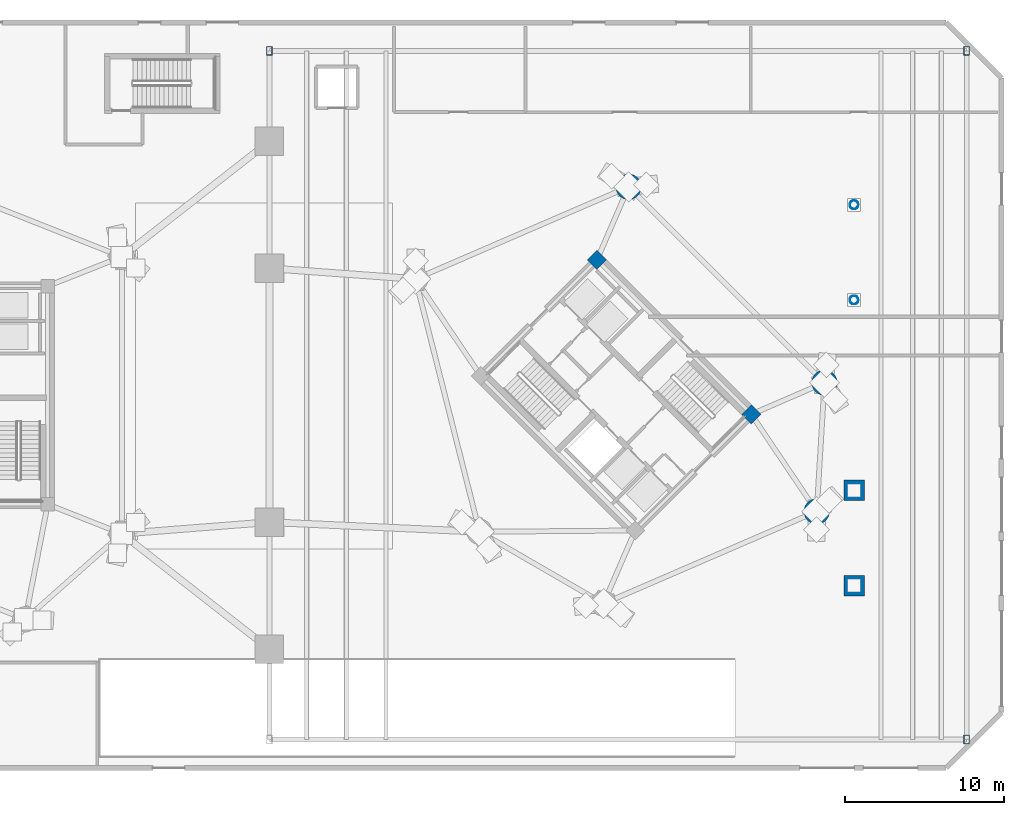
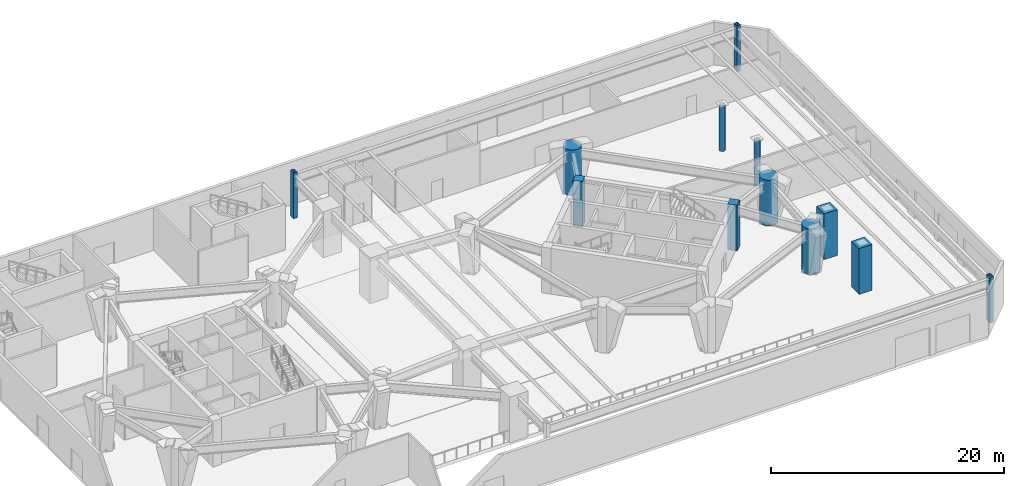
# One storey, part 2 of 17: 12 columns.
"""IFC4 building model written with IfcOpenShell, lengths in metres."""

from ifc_helpers import new_model, si_unit, direction, frame, origin, origin_2d, place, context, subcontext, project, spatial, rectangle, hollow_rectangle, circle, hollow_circle, extrude, material, material_profile, profile_set, type_object, element, save


model = new_model("IFC4")

# Units and contexts
model_context = context("Model", 3, precision=1e-05, world=origin(), true_north=direction((0.0, 1.0)))
body_context = subcontext(model_context, "Body", "Model", "MODEL_VIEW")
ifc_project = project(units=[si_unit("LENGTHUNIT", "METRE"), si_unit("AREAUNIT", "SQUARE_METRE"), si_unit("VOLUMEUNIT", "CUBIC_METRE"), si_unit("PLANEANGLEUNIT", "RADIAN"), si_unit("MASSUNIT", "GRAM", prefix="KILO")], contexts=[model_context])

# Site, building, storey
site_placement = place(None, origin())
site = spatial("IfcSite", under=ifc_project, at=site_placement, CompositionType="ELEMENT")
building_placement = place(site_placement, origin())
building = spatial("IfcBuilding", under=site, at=building_placement, Name="Cununo Teusaquillo Station Towers", CompositionType="ELEMENT")
storey_placement = place(building_placement, origin())
storey = spatial("IfcBuildingStorey", under=building, at=storey_placement, Name="L00", CompositionType="ELEMENT", Elevation=0.0)

# Columns
ifc_material_1 = material(Name="Concrete C50/60", Category="concrete")
ifc_material_profile_1 = material_profile(ifc_material_1, rectangle(XDim=0.85009765625, YDim=0.85009765625, at=origin_2d()), Name="RC-RECT-850x850")
ifc_profile_set_1 = profile_set([ifc_material_profile_1], Name="Concrete C50/60")
column_type_1 = type_object("IfcColumnType", Name="COL-CORE-Z1", PredefinedType="COLUMN", material=ifc_profile_set_1)
for number, where, z_axis, x_axis, name in (
    (1, (66.024169921875, 23.29443359375, 0.0), (0.0, 0.0, 1.0), (0.707106781187, 0.707106781187, 0.0), "L00 Tower B Core Column 3"),
    (2, (56.29443359375, 33.024169921875, 0.0), (0.0, 0.0, 1.0), (0.707106781187, 0.707106781187, 0.0), "L00 Tower B Core Column 4"),
):
    element("IfcColumn", number, at=place(storey_placement, frame(where, z_axis=z_axis, x_axis=x_axis)), inside=storey, type_object=column_type_1, Name=name, PredefinedType="COLUMN", context=body_context, shape_type="SweptSolid", body=[
        extrude(rectangle(XDim=0.85009765625, YDim=0.85009765625, at=origin_2d()), origin(), (0.0, 0.0, 1.0), 4.800048828125),
    ])
ifc_material_2 = material(Name="Concrete C60/75", Category="concrete")
ifc_material_profile_2 = material_profile(ifc_material_2, circle(Radius=0.800048828125, at=origin_2d()), Name="RC-CIRC-1600")
ifc_profile_set_2 = profile_set([ifc_material_profile_2], Name="Concrete C60/75")
column_type_2 = type_object("IfcColumnType", Name="COL-MEGA-POD", PredefinedType="USERDEFINED", material=ifc_profile_set_2)
for number, where, z_axis, x_axis, name in (
    (3, (58.291015625, 37.63525390625, 0.0), (0.0, 0.0, 1.0), (1.0, 0.0, 0.0), "L00 Tower B Perimeter Column V02"),
    (4, (70.146240234375, 17.173095703125, 0.0), (0.0, 0.0, 1.0), (1.0, 0.0, 0.0), "L00 Tower B Perimeter Column V16"),
    (5, (70.63525390625, 25.291015625, 0.0), (0.0, 0.0, 1.0), (1.0, 0.0, 0.0), "L00 Tower B Perimeter Column V18"),
):
    element("IfcColumn", number, at=place(storey_placement, frame(where, z_axis=z_axis, x_axis=x_axis)), inside=storey, type_object=column_type_2, Name=name, ObjectType="MEGA COLUMN", PredefinedType="USERDEFINED", context=body_context, shape_type="SweptSolid", body=[
        extrude(circle(Radius=0.800048828125, at=origin_2d()), origin(), (0.0, 0.0, 1.0), 4.800048828125),
    ])
ifc_material_3 = material(Name="Steel ASTM A572 Grade 50", Category="steel")
ifc_material_profile_3 = material_profile(ifc_material_3, hollow_rectangle(XDim=0.35009765625, YDim=0.550048828125, WallThickness=0.02197265625, at=origin_2d()), Name="RHS 550x350x22")
ifc_profile_set_3 = profile_set([ifc_material_profile_3], Name="Steel ASTM A572 Grade 50")
column_type_3 = type_object("IfcColumnType", Name="COL-PILASTER", PredefinedType="PILASTER", material=ifc_profile_set_3)
for number, where, z_axis, x_axis, name in (
    (6, (35.64990234375, 46.199951171875, 0.0), (0.0, 0.0, 1.0), (1.0, 0.0, 0.0), "L00 Station Hall Pilaster PIL-NW"),
    (7, (79.60009765625, 46.199951171875, 0.0), (0.0, 0.0, 1.0), (1.0, 0.0, 0.0), "L00 Station Hall Pilaster PIL-NE"),
    (8, (79.60009765625, 2.800048828125, 0.0), (0.0, 0.0, 1.0), (1.0, 0.0, 0.0), "L00 Station Hall Pilaster PIL-SE"),
):
    element("IfcColumn", number, at=place(storey_placement, frame(where, z_axis=z_axis, x_axis=x_axis)), inside=storey, type_object=column_type_3, Name=name, PredefinedType="PILASTER", context=body_context, shape_type="SweptSolid", body=[
        extrude(hollow_rectangle(XDim=0.35009765625, YDim=0.550048828125, WallThickness=0.02197265625, at=origin_2d()), origin(), (0.0, 0.0, 1.0), 4.800048828125),
    ])
ifc_material_4 = material(Name="Concrete C60/75", Category="concrete")
ifc_material_profile_4 = material_profile(ifc_material_4, rectangle(XDim=1.300048828125, YDim=1.300048828125, at=origin_2d()), Name="RC-RECT-1300x1300")
ifc_profile_set_4 = profile_set([ifc_material_profile_4], Name="Concrete C60/75")
column_type_4 = type_object("IfcColumnType", Name="COL-XFER-T1", PredefinedType="COLUMN", material=ifc_profile_set_4)
for number, where, z_axis, x_axis, name in (
    (9, (72.5, 12.5, 0.0), (0.0, 0.0, 1.0), (1.0, 0.0, 0.0), "L00 East Station Gallery Column 1"),
    (10, (72.5, 18.5, 0.0), (0.0, 0.0, 1.0), (1.0, 0.0, 0.0), "L00 East Station Gallery Column 2"),
):
    element("IfcColumn", number, at=place(storey_placement, frame(where, z_axis=z_axis, x_axis=x_axis)), inside=storey, type_object=column_type_4, Name=name, PredefinedType="COLUMN", context=body_context, shape_type="SweptSolid", body=[
        extrude(rectangle(XDim=1.300048828125, YDim=1.300048828125, at=origin_2d()), origin(), (0.0, 0.0, 1.0), 4.800048828125),
    ])
ifc_material_5 = material(Name="Steel EN 10025-2 S355J2", Category="steel")
ifc_material_profile_5 = material_profile(ifc_material_5, hollow_circle(Radius=0.279541015625, WallThickness=0.02001953125, at=origin_2d()), Name="CHS 559x20")
ifc_profile_set_5 = profile_set([ifc_material_profile_5], Name="Steel EN 10025-2 S355J2")
column_type_5 = type_object("IfcColumnType", Name="COL-XFER-T3", PredefinedType="COLUMN", material=ifc_profile_set_5)
for number, where, z_axis, x_axis, name in (
    (11, (72.5, 30.5, 0.0), (0.0, 0.0, 1.0), (1.0, 0.0, 0.0), "L00 East Station Gallery Column 3"),
    (12, (72.5, 36.5, 0.0), (0.0, 0.0, 1.0), (1.0, 0.0, 0.0), "L00 East Station Gallery Column 4"),
):
    element("IfcColumn", number, at=place(storey_placement, frame(where, z_axis=z_axis, x_axis=x_axis)), inside=storey, type_object=column_type_5, Name=name, PredefinedType="COLUMN", context=body_context, shape_type="SweptSolid", body=[
        extrude(hollow_circle(Radius=0.279541015625, WallThickness=0.02001953125, at=origin_2d()), origin(), (0.0, 0.0, 1.0), 4.800048828125),
    ])

save(model, "model.ifc")
